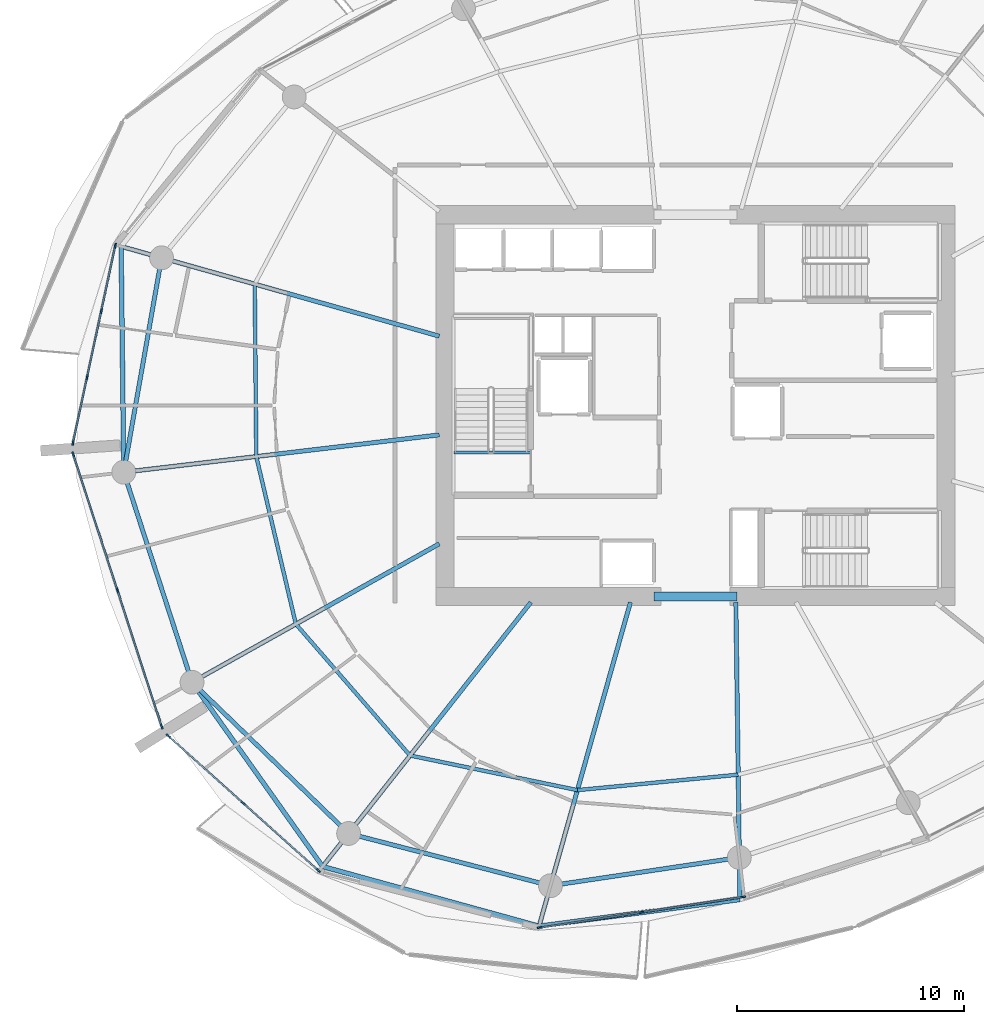
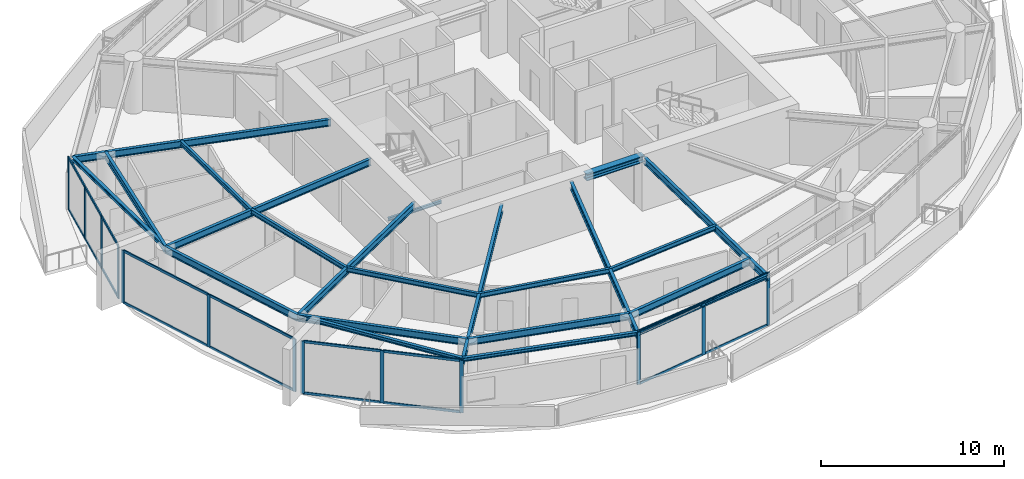
# One storey, part 5 of 20: 31 members, 22 beams, 4 elements without a shape of their own.
"""IFC4 building model written with IfcOpenShell, lengths in metres."""

import ifcopenshell
import ifcopenshell.guid

model = None  # the IFC model being written
_history = None  # IfcOwnerHistory: only IFC2X3 demands one
_inside = {}  # id of a spatial element -> (the spatial element, [elements in it])
_under = {}  # id of a project, library or spatial element -> (it, [spatial elements below it])
_declared = {}  # id of a project -> (the project, [libraries it declares])
_typed = {}  # id of a type object -> (the type object, [elements of that type])
_made_of = {}  # id of a material, layer set ... -> (it, [elements and type objects made of it])


def new_model(schema):
    """Start an empty IFC model of exactly this schema.

    Asked for "IFC4X3", IfcOpenShell would pick the latest addendum, in which some entities
    have other attributes; the version numbers below select the first issue.
    IFC2X3 requires an IfcOwnerHistory on every rooted entity: one is made here for all.
    """
    global model, _history
    if schema == "IFC4X3":
        model = ifcopenshell.file(schema_version=(4, 3, 0, 0))
    else:
        model = ifcopenshell.file(schema=schema)
    _inside.clear()
    _under.clear()
    _declared.clear()
    _typed.clear()
    _made_of.clear()
    _history = None
    if model.schema == "IFC2X3":
        org = make("IfcOrganization", Name="unknown")
        user = make(
            "IfcPersonAndOrganization",
            ThePerson=make("IfcPerson", FamilyName="unknown"),
            TheOrganization=org,
        )
        app = make(
            "IfcApplication",
            ApplicationDeveloper=org,
            Version="unknown",
            ApplicationFullName="unknown",
            ApplicationIdentifier="unknown",
        )
        _history = make(
            "IfcOwnerHistory",
            OwningUser=user,
            OwningApplication=app,
            ChangeAction="ADDED",
            CreationDate=0,
        )
    return model


def make(cls, **values):
    """One entity of the class cls with the attributes given. An attribute that is None is left unset."""
    return model.create_entity(
        cls, **{name: value for name, value in values.items() if value is not None}
    )


def rooted(cls, **values):
    """An entity with a GlobalId (a new one), such as an element, a storey or a relation."""
    return make(cls, GlobalId=ifcopenshell.guid.new(), OwnerHistory=_history, **values)


def si_unit(unit_type, name, prefix=None):
    """IfcSIUnit, for example si_unit("LENGTHUNIT", "METRE", prefix="MILLI")."""
    return make("IfcSIUnit", UnitType=unit_type, Prefix=prefix, Name=name)


def assignment(units):
    """IfcUnitAssignment: the units of a project."""
    return None if units is None else make("IfcUnitAssignment", Units=units)


def point(xyz):
    """IfcCartesianPoint."""
    return None if xyz is None else make("IfcCartesianPoint", Coordinates=xyz)


def direction(xyz):
    """IfcDirection."""
    return None if xyz is None else make("IfcDirection", DirectionRatios=xyz)


def frame(location, z_axis=None, x_axis=None):
    """IfcAxis2Placement3D, a coordinate frame: its origin and axes. An axis left out is left unset."""
    return make(
        "IfcAxis2Placement3D",
        Location=point(location),
        Axis=direction(z_axis),
        RefDirection=direction(x_axis),
    )


def frame_2d(location, x_axis=None):
    """IfcAxis2Placement2D, a coordinate frame in the plane: its origin and x axis."""
    return make(
        "IfcAxis2Placement2D", Location=point(location), RefDirection=direction(x_axis)
    )


def origin():
    """The frame at (0, 0, 0) with its axes left unset."""
    return frame((0.0, 0.0, 0.0))


def origin_2d():
    """The frame at (0, 0) in the plane with its x axis left unset."""
    return frame_2d((0.0, 0.0))


def place(relative_to, where):
    """IfcLocalPlacement: puts the frame where relative to a parent placement (None: the world)."""
    return make(
        "IfcLocalPlacement", PlacementRelTo=relative_to, RelativePlacement=where
    )


def context(
    kind, dimensions, precision=None, world=None, true_north=None, identifier=None
):
    """IfcGeometricRepresentationContext, for example the 3D "Model" context."""
    return make(
        "IfcGeometricRepresentationContext",
        ContextIdentifier=identifier,
        ContextType=kind,
        CoordinateSpaceDimension=dimensions,
        Precision=precision,
        WorldCoordinateSystem=world,
        TrueNorth=true_north,
    )


def subcontext(parent, identifier, kind, view, scale=None):
    """IfcGeometricRepresentationSubContext, for example "Body" below "Model"."""
    return make(
        "IfcGeometricRepresentationSubContext",
        ContextIdentifier=identifier,
        ContextType=kind,
        ParentContext=parent,
        TargetScale=scale,
        TargetView=view,
    )


def project(units=None, contexts=None):
    """IfcProject with its units and contexts."""
    return rooted(
        "IfcProject",
        Name="project",
        RepresentationContexts=contexts,
        UnitsInContext=assignment(units),
    )


def spatial(cls, under=None, at=None, **own):
    """A site, building, storey or space (cls), placed at a placement, below another one or the project."""
    s = rooted(cls, ObjectPlacement=at, **own)
    if under is not None:
        _under.setdefault(under.id(), (under, []))[1].append(s)
    return s


def profile(cls, at=None, kind="AREA", **sizes):
    """A parametric profile (cls). Its sizes go by their IFC names, for example OverallWidth=200.0."""
    return make(cls, ProfileType=kind, Position=at, **sizes)


def rectangle(**sizes):
    """IfcRectangleProfileDef."""
    return profile("IfcRectangleProfileDef", **sizes)


def i_section(**sizes):
    """IfcIShapeProfileDef."""
    return profile("IfcIShapeProfileDef", **sizes)


def extrude(swept, where, along, depth):
    """IfcExtrudedAreaSolid: the profile swept, set in the frame where, extruded along a direction by depth."""
    return make(
        "IfcExtrudedAreaSolid",
        SweptArea=swept,
        Position=where,
        ExtrudedDirection=direction(along),
        Depth=depth,
    )


def shape(context_of_items, identifier, shape_type, items):
    """IfcShapeRepresentation: the items that make up one representation, for example the "Body"."""
    return make(
        "IfcShapeRepresentation",
        ContextOfItems=context_of_items,
        RepresentationIdentifier=identifier,
        RepresentationType=shape_type,
        Items=items,
    )


def material(Name=None, Category=None):
    """IfcMaterial."""
    return make("IfcMaterial", Name=Name, Category=Category)


def layer(
    of_material, thickness, ventilated=None, Name=None, Category=None, Priority=None
):
    """IfcMaterialLayer: one layer of a wall or slab, of a material (None: an air gap)."""
    return make(
        "IfcMaterialLayer",
        Material=of_material,
        LayerThickness=thickness,
        IsVentilated=ventilated,
        Name=Name,
        Category=Category,
        Priority=Priority,
    )


def layer_set(layers, Name=None):
    """IfcMaterialLayerSet."""
    return make("IfcMaterialLayerSet", MaterialLayers=layers, LayerSetName=Name)


def material_profile(
    of_material, cross_section, Name=None, Category=None, Priority=None
):
    """IfcMaterialProfile: a cross section and its material."""
    return make(
        "IfcMaterialProfile",
        Name=Name,
        Material=of_material,
        Profile=cross_section,
        Priority=Priority,
        Category=Category,
    )


def profile_set(profiles, Name=None, composite=None):
    """IfcMaterialProfileSet."""
    return make(
        "IfcMaterialProfileSet",
        Name=Name,
        MaterialProfiles=profiles,
        CompositeProfile=composite,
    )


def made_of(thing, what):
    """Note that an element or type object is made of a material, layer set ...; save() writes the relation."""
    if what is not None:
        _made_of.setdefault(what.id(), (what, []))[1].append(thing)
    return thing


def type_object(cls, material=None, **own):
    """A type object (cls), such as IfcWallType, which elements share."""
    return made_of(rooted(cls, **own), material)


def element(
    cls,
    number,
    at=None,
    inside=None,
    cuts=None,
    type_object=None,
    material=None,
    context=None,
    identifier="Body",
    shape_type=None,
    held_by="IfcProductDefinitionShape",
    body=None,
    shapes=None,
    **own,
):
    """One element of the class cls, such as IfcWall. Its Tag is "e" and its number.

    at: its placement. inside: the storey or other place that contains it. cuts: it is an
    opening in that element (IfcRelVoidsElement). A single representation is given by context,
    identifier, shape_type and body (its items); several are given by shapes. held_by: the class
    of the entity that holds the representations. save() writes the other relations.
    """
    e = rooted(cls, Tag="e%d" % number, ObjectPlacement=at, **own)
    if body is not None:
        shapes = [shape(context, identifier, shape_type, body)]
    if shapes is not None:
        e.Representation = make(held_by, Representations=shapes)
    if inside is not None:
        _inside.setdefault(inside.id(), (inside, []))[1].append(e)
    if cuts is not None:
        rooted(
            "IfcRelVoidsElement", RelatingBuildingElement=cuts, RelatedOpeningElement=e
        )
    if type_object is not None:
        _typed.setdefault(type_object.id(), (type_object, []))[1].append(e)
    return made_of(e, material)


def aggregate(whole, parts):
    """IfcRelAggregates: a whole, such as a stair, and the parts it consists of."""
    return rooted("IfcRelAggregates", RelatingObject=whole, RelatedObjects=parts)


def save(model, path):
    """Write the relations noted so far, then the file.

    IfcRelAggregates (storeys below a building ...), IfcRelContainedInSpatialStructure (elements
    in a storey), IfcRelDefinesByType, IfcRelAssociatesMaterial and IfcRelDeclares: one each for
    every whole, place, type object, material and project.
    """
    for whole, parts in _under.values():
        aggregate(whole, parts)
    for where, things in _inside.values():
        rooted(
            "IfcRelContainedInSpatialStructure",
            RelatedElements=things,
            RelatingStructure=where,
        )
    for kind, things in _typed.values():
        rooted("IfcRelDefinesByType", RelatedObjects=things, RelatingType=kind)
    for what, things in _made_of.values():
        rooted("IfcRelAssociatesMaterial", RelatedObjects=things, RelatingMaterial=what)
    for by, libraries in _declared.values():
        rooted("IfcRelDeclares", RelatingContext=by, RelatedDefinitions=libraries)
    model.write(path)


model = new_model("IFC4")

# Units and contexts
model_context = context("Model", 3, precision=1e-05, world=origin(), true_north=direction((0.0, 1.0)))
body_context = subcontext(model_context, "Body", "Model", "MODEL_VIEW")
ifc_project = project(units=[si_unit("LENGTHUNIT", "METRE"), si_unit("AREAUNIT", "SQUARE_METRE"), si_unit("VOLUMEUNIT", "CUBIC_METRE"), si_unit("PLANEANGLEUNIT", "RADIAN"), si_unit("MASSUNIT", "GRAM", prefix="KILO")], contexts=[model_context])

# Site, building, storey
site_placement = place(None, origin())
site = spatial("IfcSite", under=ifc_project, at=site_placement, CompositionType="ELEMENT")
building_placement = place(site_placement, origin())
building = spatial("IfcBuilding", under=site, at=building_placement, Name="Kazma Halo Residences", CompositionType="ELEMENT")
storey_placement = place(building_placement, frame((0.0, 0.0, 139.050048828125)))
storey = spatial("IfcBuildingStorey", under=building, at=storey_placement, Name="L34", CompositionType="ELEMENT", Elevation=139.050048828125)

# Beams
ifc_material_1 = material(Name="Steel S355", Category="steel")
ifc_material_profile_1 = material_profile(ifc_material_1, i_section(OverallWidth=0.201904296875, OverallDepth=0.2470703125, WebThickness=0.00732421875, FlangeThickness=0.010986328125, FilletRadius=0.011962890625, at=origin_2d()), Name="W250x49.1")
ifc_profile_set_1 = profile_set([ifc_material_profile_1], Name="Steel S355")
beam_type_1 = type_object("IfcBeamType", Name="BM-BAL-CANT", PredefinedType="BEAM", material=ifc_profile_set_1)
beam_1_placement = place(storey_placement, frame((23.149658203125, 49.008544921875, 3.37646484375), z_axis=(0.011793371143, -0.99993045578, 0.0), x_axis=(0.99993045578, 0.011793371143, 0.0)))
element("IfcBeam", 1, at=beam_1_placement, inside=storey, type_object=beam_type_1, Name="L34 wave-balcony tie beam 07", PredefinedType="BEAM", context=body_context, shape_type="SweptSolid", body=[
    extrude(i_section(OverallWidth=0.201904296875, OverallDepth=0.2470703125, WebThickness=0.00732421875, FlangeThickness=0.010986328125, FilletRadius=0.011962890625, at=origin_2d()), origin(), (0.0, 0.0, 1.0), 9.936767578125),
])
beam_2_placement = place(storey_placement, frame((26.269775390625, 29.83056640625, 3.37646484375), z_axis=(0.578203432081, -0.81589263456, 0.0), x_axis=(0.81589263456, 0.578203432081, 0.0)))
element("IfcBeam", 2, at=beam_2_placement, inside=storey, type_object=beam_type_1, Name="L34 wave-balcony lead tie beam 09", PredefinedType="BEAM", context=body_context, shape_type="SweptSolid", body=[
    extrude(i_section(OverallWidth=0.201904296875, OverallDepth=0.2470703125, WebThickness=0.00732421875, FlangeThickness=0.010986328125, FilletRadius=0.011962890625, at=origin_2d()), origin(), (0.0, 0.0, 1.0), 9.9365234375),
])
beam_3_placement = place(storey_placement, frame((32.01513671875, 21.723388671875, 3.37646484375), z_axis=(0.964045237638, -0.265738179019, 0.0), x_axis=(0.265738179019, 0.964045237638, 0.0)))
element("IfcBeam", 3, at=beam_3_placement, inside=storey, type_object=beam_type_1, Name="L34 wave-balcony tie beam 10", PredefinedType="BEAM", context=body_context, shape_type="SweptSolid", body=[
    extrude(i_section(OverallWidth=0.201904296875, OverallDepth=0.2470703125, WebThickness=0.00732421875, FlangeThickness=0.010986328125, FilletRadius=0.011962890625, at=origin_2d()), origin(), (0.0, 0.0, 1.0), 9.880859375),
])
beam_4_placement = place(storey_placement, frame((41.540771484375, 19.09765625, 3.37646484375), z_axis=(0.991326402839, 0.13142284061, 0.0), x_axis=(-0.13142284061, 0.991326402839, 0.0)))
element("IfcBeam", 4, at=beam_4_placement, inside=storey, type_object=beam_type_1, Name="L34 wave-balcony tie beam 11", PredefinedType="BEAM", context=body_context, shape_type="SweptSolid", body=[
    extrude(i_section(OverallWidth=0.201904296875, OverallDepth=0.2470703125, WebThickness=0.00732421875, FlangeThickness=0.010986328125, FilletRadius=0.011962890625, at=origin_2d()), origin(), (0.0, 0.0, 1.0), 8.9150390625),
])
ifc_material_profile_2 = material_profile(ifc_material_1, i_section(OverallWidth=0.408935546875, OverallDepth=0.425048828125, WebThickness=0.03271484375, FlangeThickness=0.052490234375, FilletRadius=0.02001953125, at=origin_2d()), Name="W360x421")
ifc_profile_set_2 = profile_set([ifc_material_profile_2], Name="Steel S355")
beam_type_2 = type_object("IfcBeamType", Name="BM-CORE-W360H", PredefinedType="BEAM", material=ifc_profile_set_2)
beam_5_placement = place(storey_placement, frame((46.60009765625, 33.60009765625, 3.287353515625), z_axis=(1.0, 0.0, 0.0), x_axis=(0.0, 1.0, 0.0)))
element("IfcBeam", 5, at=beam_5_placement, inside=storey, type_object=beam_type_2, Name="L34 core coupling beam S", PredefinedType="BEAM", context=body_context, shape_type="SweptSolid", body=[
    extrude(i_section(OverallWidth=0.408935546875, OverallDepth=0.425048828125, WebThickness=0.03271484375, FlangeThickness=0.052490234375, FilletRadius=0.02001953125, at=origin_2d()), origin(), (0.0, 0.0, 1.0), 3.64990234375),
])
ifc_material_profile_3 = material_profile(ifc_material_1, i_section(OverallWidth=0.18994140625, OverallDepth=0.45703125, WebThickness=0.009033203125, FlangeThickness=0.014404296875, FilletRadius=0.01611328125, at=origin_2d()), Name="W460x74")
ifc_profile_set_3 = profile_set([ifc_material_profile_3], Name="Steel S355")
beam_type_3 = type_object("IfcBeamType", Name="BM-RAD-W460", PredefinedType="BEAM", material=ifc_profile_set_3)
beam_6_placement = place(storey_placement, frame((37.14990234375, 45.06005859375, 3.271484375), z_axis=(-0.962455072712, 0.271441030447, 0.0), x_axis=(-0.271441030447, -0.962455072712, 0.0)))
element("IfcBeam", 6, at=beam_6_placement, inside=storey, type_object=beam_type_3, Name="L34 radial floor beam 07", PredefinedType="BEAM", context=body_context, shape_type="SweptSolid", body=[
    extrude(i_section(OverallWidth=0.18994140625, OverallDepth=0.45703125, WebThickness=0.009033203125, FlangeThickness=0.014404296875, FilletRadius=0.01611328125, at=origin_2d()), origin(), (0.0, 0.0, 1.0), 14.54638671875),
])
beam_7_placement = place(storey_placement, frame((37.14990234375, 40.7158203125, 3.271484375), z_axis=(-0.993067267044, -0.117547450531, 0.0), x_axis=(0.117547450531, -0.993067267044, 0.0)))
element("IfcBeam", 7, at=beam_7_placement, inside=storey, type_object=beam_type_3, Name="L34 radial floor beam 08", PredefinedType="BEAM", context=body_context, shape_type="SweptSolid", body=[
    extrude(i_section(OverallWidth=0.18994140625, OverallDepth=0.45703125, WebThickness=0.009033203125, FlangeThickness=0.014404296875, FilletRadius=0.01611328125, at=origin_2d()), origin(), (0.0, 0.0, 1.0), 13.97998046875),
])
beam_8_placement = place(storey_placement, frame((37.14990234375, 35.923583984375, 3.271484375), z_axis=(-0.87250100809, -0.488612311431, 0.0), x_axis=(0.488612311431, -0.87250100809, 0.0)))
element("IfcBeam", 8, at=beam_8_placement, inside=storey, type_object=beam_type_3, Name="L34 radial floor beam 09", PredefinedType="BEAM", context=body_context, shape_type="SweptSolid", body=[
    extrude(i_section(OverallWidth=0.18994140625, OverallDepth=0.45703125, WebThickness=0.009033203125, FlangeThickness=0.014404296875, FilletRadius=0.01611328125, at=origin_2d()), origin(), (0.0, 0.0, 1.0), 12.469970703125),
])
beam_9_placement = place(storey_placement, frame((41.180908203125, 33.35009765625, 3.271484375), z_axis=(-0.619094498239, -0.785316498139, 0.0), x_axis=(0.785316498139, -0.619094498239, 0.0)))
element("IfcBeam", 9, at=beam_9_placement, inside=storey, type_object=beam_type_3, Name="L34 radial floor beam 10", PredefinedType="BEAM", context=body_context, shape_type="SweptSolid", body=[
    extrude(i_section(OverallWidth=0.18994140625, OverallDepth=0.45703125, WebThickness=0.009033203125, FlangeThickness=0.014404296875, FilletRadius=0.01611328125, at=origin_2d()), origin(), (0.0, 0.0, 1.0), 14.80517578125),
])
beam_10_placement = place(storey_placement, frame((45.560302734375, 33.35009765625, 3.271484375), z_axis=(-0.271435886816, -0.962456523355, 0.0), x_axis=(0.962456523355, -0.271435886816, 0.0)))
element("IfcBeam", 10, at=beam_10_placement, inside=storey, type_object=beam_type_3, Name="L34 radial floor beam 11", PredefinedType="BEAM", context=body_context, shape_type="SweptSolid", body=[
    extrude(i_section(OverallWidth=0.18994140625, OverallDepth=0.45703125, WebThickness=0.009033203125, FlangeThickness=0.014404296875, FilletRadius=0.01611328125, at=origin_2d()), origin(), (0.0, 0.0, 1.0), 14.808349609375),
])
beam_11_placement = place(storey_placement, frame((50.199951171875, 33.35009765625, 3.271484375), z_axis=(0.013642135434, -0.99990694174, 0.0), x_axis=(0.99990694174, 0.013642135434, 0.0)))
element("IfcBeam", 11, at=beam_11_placement, inside=storey, type_object=beam_type_3, Name="L34 radial floor beam 12", PredefinedType="BEAM", context=body_context, shape_type="SweptSolid", body=[
    extrude(i_section(OverallWidth=0.18994140625, OverallDepth=0.45703125, WebThickness=0.009033203125, FlangeThickness=0.014404296875, FilletRadius=0.01611328125, at=origin_2d()), origin(), (0.0, 0.0, 1.0), 13.08203125),
])
ifc_material_profile_4 = material_profile(ifc_material_1, i_section(OverallWidth=0.1650390625, OverallDepth=0.31005859375, WebThickness=0.005859375, FlangeThickness=0.009765625, FilletRadius=0.011962890625, at=origin_2d()), Name="W310x38.7")
ifc_profile_set_4 = profile_set([ifc_material_profile_4], Name="Steel S355")
beam_type_4 = type_object("IfcBeamType", Name="BM-SEC-W310B", PredefinedType="JOIST", material=ifc_profile_set_4)
beam_12_placement = place(storey_placement, frame((29.02978515625, 47.35009765625, 3.344970703125), z_axis=(0.008944876706, -0.99995999379, 0.0), x_axis=(0.99995999379, 0.008944876706, 0.0)))
element("IfcBeam", 12, at=beam_12_placement, inside=storey, type_object=beam_type_4, Name="L34 circumferential floor joist 07", PredefinedType="JOIST", context=body_context, shape_type="SweptSolid", body=[
    extrude(i_section(OverallWidth=0.1650390625, OverallDepth=0.31005859375, WebThickness=0.005859375, FlangeThickness=0.009765625, FilletRadius=0.011962890625, at=origin_2d()), origin(), (0.0, 0.0, 1.0), 7.587646484375),
])
beam_13_placement = place(storey_placement, frame((29.09765625, 39.7626953125, 3.344970703125), z_axis=(0.229897820601, -0.973214771817, 0.0), x_axis=(0.973214771817, 0.229897820601, 0.0)))
element("IfcBeam", 13, at=beam_13_placement, inside=storey, type_object=beam_type_4, Name="L34 circumferential floor joist 08", PredefinedType="JOIST", context=body_context, shape_type="SweptSolid", body=[
    extrude(i_section(OverallWidth=0.1650390625, OverallDepth=0.31005859375, WebThickness=0.005859375, FlangeThickness=0.009765625, FilletRadius=0.011962890625, at=origin_2d()), origin(), (0.0, 0.0, 1.0), 7.575927734375),
])
beam_14_placement = place(storey_placement, frame((30.83935546875, 32.3896484375, 3.344970703125), z_axis=(0.655935687589, -0.754816781575, 0.0), x_axis=(0.754816781575, 0.655935687589, 0.0)))
element("IfcBeam", 14, at=beam_14_placement, inside=storey, type_object=beam_type_4, Name="L34 circumferential floor joist 09", PredefinedType="JOIST", context=body_context, shape_type="SweptSolid", body=[
    extrude(i_section(OverallWidth=0.1650390625, OverallDepth=0.31005859375, WebThickness=0.005859375, FlangeThickness=0.009765625, FilletRadius=0.011962890625, at=origin_2d()), origin(), (0.0, 0.0, 1.0), 7.661376953125),
])
beam_15_placement = place(storey_placement, frame((35.86474609375, 26.606689453125, 3.344970703125), z_axis=(0.979272189631, -0.202548706773, 0.0), x_axis=(0.202548706773, 0.979272189631, 0.0)))
element("IfcBeam", 15, at=beam_15_placement, inside=storey, type_object=beam_type_4, Name="L34 circumferential floor joist 10", PredefinedType="JOIST", context=body_context, shape_type="SweptSolid", body=[
    extrude(i_section(OverallWidth=0.1650390625, OverallDepth=0.31005859375, WebThickness=0.005859375, FlangeThickness=0.009765625, FilletRadius=0.011962890625, at=origin_2d()), origin(), (0.0, 0.0, 1.0), 7.52001953125),
])
beam_16_placement = place(storey_placement, frame((43.22900390625, 25.08349609375, 3.344970703125), z_axis=(0.995416389983, 0.095635822539, 0.0), x_axis=(-0.095635822539, 0.995416389983, 0.0)))
element("IfcBeam", 16, at=beam_16_placement, inside=storey, type_object=beam_type_4, Name="L34 circumferential floor joist 11", PredefinedType="JOIST", context=body_context, shape_type="SweptSolid", body=[
    extrude(i_section(OverallWidth=0.1650390625, OverallDepth=0.31005859375, WebThickness=0.005859375, FlangeThickness=0.009765625, FilletRadius=0.011962890625, at=origin_2d()), origin(), (0.0, 0.0, 1.0), 7.10693359375),
])
ifc_material_profile_5 = material_profile(ifc_material_1, i_section(OverallWidth=0.18994140625, OverallDepth=0.45703125, WebThickness=0.009033203125, FlangeThickness=0.014404296875, FilletRadius=0.01611328125, at=origin_2d()), Name="W460x74")
ifc_profile_set_5 = profile_set([ifc_material_profile_5], Name="Steel S355")
beam_type_5 = type_object("IfcBeamType", Name="BM-SPN-W460", PredefinedType="BEAM", material=ifc_profile_set_5)
beam_17_placement = place(storey_placement, frame((24.93017578125, 48.50634765625, 3.271484375), z_axis=(-0.173637033425, -0.984809717978, 0.0), x_axis=(0.984809717978, -0.173637033425, 0.0)))
element("IfcBeam", 17, at=beam_17_placement, inside=storey, type_object=beam_type_5, Name="L34 perimeter ring beam 07", PredefinedType="BEAM", context=body_context, shape_type="SweptSolid", body=[
    extrude(i_section(OverallWidth=0.18994140625, OverallDepth=0.45703125, WebThickness=0.009033203125, FlangeThickness=0.014404296875, FilletRadius=0.01611328125, at=origin_2d()), origin(), (0.0, 0.0, 1.0), 9.579345703125),
])
beam_18_placement = place(storey_placement, frame((23.266845703125, 39.072509765625, 3.271484375), z_axis=(0.309020741629, -0.95105529873, 0.0), x_axis=(0.95105529873, 0.309020741629, 0.0)))
element("IfcBeam", 18, at=beam_18_placement, inside=storey, type_object=beam_type_5, Name="L34 perimeter ring beam 08", PredefinedType="BEAM", context=body_context, shape_type="SweptSolid", body=[
    extrude(i_section(OverallWidth=0.18994140625, OverallDepth=0.45703125, WebThickness=0.009033203125, FlangeThickness=0.014404296875, FilletRadius=0.01611328125, at=origin_2d()), origin(), (0.0, 0.0, 1.0), 9.717529296875),
])
beam_19_placement = place(storey_placement, frame((26.269775390625, 29.83056640625, 3.271484375), z_axis=(0.719334705845, -0.694663645923, 0.0), x_axis=(0.694663645923, 0.719334705845, 0.0)))
element("IfcBeam", 19, at=beam_19_placement, inside=storey, type_object=beam_type_5, Name="L34 perimeter ring beam 09", PredefinedType="BEAM", context=body_context, shape_type="SweptSolid", body=[
    extrude(i_section(OverallWidth=0.18994140625, OverallDepth=0.45703125, WebThickness=0.009033203125, FlangeThickness=0.014404296875, FilletRadius=0.01611328125, at=origin_2d()), origin(), (0.0, 0.0, 1.0), 9.5791015625),
])
beam_20_placement = place(storey_placement, frame((33.160400390625, 23.17626953125, 3.271484375), z_axis=(0.968123664213, -0.250472694699, 0.0), x_axis=(0.250472694699, 0.968123664213, 0.0)))
element("IfcBeam", 20, at=beam_20_placement, inside=storey, type_object=beam_type_5, Name="L34 perimeter ring beam 10", PredefinedType="BEAM", context=body_context, shape_type="SweptSolid", body=[
    extrude(i_section(OverallWidth=0.18994140625, OverallDepth=0.45703125, WebThickness=0.009033203125, FlangeThickness=0.014404296875, FilletRadius=0.01611328125, at=origin_2d()), origin(), (0.0, 0.0, 1.0), 9.175048828125),
])
beam_21_placement = place(storey_placement, frame((42.04296875, 20.878173828125, 3.271484375), z_axis=(0.989037147603, 0.147666924735, 0.0), x_axis=(-0.147666924735, 0.989037147603, 0.0)))
element("IfcBeam", 21, at=beam_21_placement, inside=storey, type_object=beam_type_5, Name="L34 perimeter ring beam 11", PredefinedType="BEAM", context=body_context, shape_type="SweptSolid", body=[
    extrude(i_section(OverallWidth=0.18994140625, OverallDepth=0.45703125, WebThickness=0.009033203125, FlangeThickness=0.014404296875, FilletRadius=0.01611328125, at=origin_2d()), origin(), (0.0, 0.0, 1.0), 8.402099609375),
])
ifc_material_profile_6 = material_profile(ifc_material_1, i_section(OverallWidth=0.133056640625, OverallDepth=0.20703125, WebThickness=0.005859375, FlangeThickness=0.00830078125, FilletRadius=0.010009765625, at=origin_2d()), Name="W200x26.6")
ifc_profile_set_6 = profile_set([ifc_material_profile_6], Name="Steel S355")
beam_type_6 = type_object("IfcBeamType", Name="BM-TRIM-W200", PredefinedType="BEAM", material=ifc_profile_set_6)
beam_22_placement = place(storey_placement, frame((37.800048828125, 39.949951171875, -0.360107421875), z_axis=(1.0, 0.0, 0.0), x_axis=(0.0, 1.0, 0.0)))
element("IfcBeam", 22, at=beam_22_placement, inside=storey, type_object=beam_type_6, Name="L34 ST-01 floor landing support beam", PredefinedType="BEAM", context=body_context, shape_type="SweptSolid", body=[
    extrude(i_section(OverallWidth=0.133056640625, OverallDepth=0.20703125, WebThickness=0.005859375, FlangeThickness=0.00830078125, FilletRadius=0.010009765625, at=origin_2d()), origin(), (0.0, 0.0, 1.0), 3.3798828125),
])

# Curtain wall, members
ifc_material_2 = material(Name="Aluminium AW-6063 T6 and Triple-Silver Low-E Glass", Category="aluminium")
ifc_layer = layer(ifc_material_2, 0.219970703125)
ifc_layer_set = layer_set([ifc_layer], Name="Aluminium AW-6063 T6 and Triple-Silver Low-E Glass")
curtain_wall_type = type_object("IfcCurtainWallType", Name="CW-SYS-4", PredefinedType="NOTDEFINED", material=ifc_layer_set)
curtain_wall_1_placement = place(storey_placement, origin())
curtain_wall_1 = element("IfcCurtainWall", 23, at=curtain_wall_1_placement, inside=storey, type_object=curtain_wall_type, Name="L34 unitised curtain wall B07", PredefinedType="NOTDEFINED")
ifc_material_3 = material(Name="Aluminium AW-6063 T6", Category="aluminium")
ifc_material_profile_7 = material_profile(ifc_material_3, rectangle(XDim=0.074951171875, YDim=0.219970703125, at=origin_2d()), Name="CWM-75x220")
ifc_profile_set_7 = profile_set([ifc_material_profile_7], Name="Aluminium AW-6063 T6")
member_type_1 = type_object("IfcMemberType", Name="CW-SYS-4-MUL", PredefinedType="MULLION", material=ifc_profile_set_7)
member_1_placement = place(storey_placement, frame((22.894775390625, 49.04150390625, 0.0), z_axis=(0.0, 0.0, 1.0), x_axis=(0.977764957684, -0.209703809037, 0.0)))
member_1 = element("IfcMember", 24, at=member_1_placement, type_object=member_type_1, Name="CWS-4 mullion 1", PredefinedType="MULLION", context=body_context, shape_type="SweptSolid", body=[
    extrude(rectangle(XDim=0.074951171875, YDim=0.219970703125, at=origin_2d()), origin(), (0.0, 0.0, 1.0), 3.5),
])
member_2_placement = place(storey_placement, frame((22.27685546875, 46.160888671875, 0.0), z_axis=(0.0, 0.0, 1.0), x_axis=(0.977764957684, -0.209703809037, 0.0)))
member_2 = element("IfcMember", 25, at=member_2_placement, type_object=member_type_1, Name="CWS-4 mullion 2", PredefinedType="MULLION", context=body_context, shape_type="SweptSolid", body=[
    extrude(rectangle(XDim=0.074951171875, YDim=0.219970703125, at=origin_2d()), origin(), (0.0, 0.0, 1.0), 3.5),
])
member_3_placement = place(storey_placement, frame((21.6513671875, 43.24365234375, 0.0), z_axis=(0.0, 0.0, 1.0), x_axis=(0.977764957684, -0.209703809037, 0.0)))
member_3 = element("IfcMember", 26, at=member_3_placement, type_object=member_type_1, Name="CWS-4 mullion 3", PredefinedType="MULLION", context=body_context, shape_type="SweptSolid", body=[
    extrude(rectangle(XDim=0.074951171875, YDim=0.219970703125, at=origin_2d()), origin(), (0.0, 0.0, 1.0), 3.5),
])
member_4_placement = place(storey_placement, frame((21.033447265625, 40.36328125, 0.0), z_axis=(0.0, 0.0, 1.0), x_axis=(0.977764957684, -0.209703809037, 0.0)))
member_4 = element("IfcMember", 27, at=member_4_placement, type_object=member_type_1, Name="CWS-4 mullion 4", PredefinedType="MULLION", context=body_context, shape_type="SweptSolid", body=[
    extrude(rectangle(XDim=0.074951171875, YDim=0.219970703125, at=origin_2d()), origin(), (0.0, 0.0, 1.0), 3.5),
])

curtain_wall_2_placement = place(storey_placement, origin())
curtain_wall_2 = element("IfcCurtainWall", 28, at=curtain_wall_2_placement, inside=storey, type_object=curtain_wall_type, Name="L34 unitised curtain wall B08", PredefinedType="NOTDEFINED")
member_5_placement = place(storey_placement, frame((21.044189453125, 39.86572265625, 0.0), z_axis=(0.0, 0.0, 1.0), x_axis=(0.951057547609, 0.3090138203, 0.0)))
member_5 = element("IfcMember", 29, at=member_5_placement, type_object=member_type_1, Name="CWS-4 mullion 1", PredefinedType="MULLION", context=body_context, shape_type="SweptSolid", body=[
    extrude(rectangle(XDim=0.074951171875, YDim=0.219970703125, at=origin_2d()), origin(), (0.0, 0.0, 1.0), 3.5),
])
member_6_placement = place(storey_placement, frame((22.990966796875, 33.8740234375, 0.0), z_axis=(0.0, 0.0, 1.0), x_axis=(0.951057547609, 0.3090138203, 0.0)))
member_6 = element("IfcMember", 30, at=member_6_placement, type_object=member_type_1, Name="CWS-4 mullion 2", PredefinedType="MULLION", context=body_context, shape_type="SweptSolid", body=[
    extrude(rectangle(XDim=0.074951171875, YDim=0.219970703125, at=origin_2d()), origin(), (0.0, 0.0, 1.0), 3.5),
])
member_7_placement = place(storey_placement, frame((24.937744140625, 27.882568359375, 0.0), z_axis=(0.0, 0.0, 1.0), x_axis=(0.951057547609, 0.3090138203, 0.0)))
member_7 = element("IfcMember", 31, at=member_7_placement, type_object=member_type_1, Name="CWS-4 mullion 3", PredefinedType="MULLION", context=body_context, shape_type="SweptSolid", body=[
    extrude(rectangle(XDim=0.074951171875, YDim=0.219970703125, at=origin_2d()), origin(), (0.0, 0.0, 1.0), 3.5),
])

curtain_wall_3_placement = place(storey_placement, origin())
curtain_wall_3 = element("IfcCurtainWall", 32, at=curtain_wall_3_placement, inside=storey, type_object=curtain_wall_type, Name="L34 unitised curtain wall B09", PredefinedType="NOTDEFINED")
member_8_placement = place(storey_placement, frame((25.221435546875, 27.4736328125, 0.0), z_axis=(0.0, 0.0, 1.0), x_axis=(0.667770096247, 0.744367582957, 0.0)))
member_8 = element("IfcMember", 33, at=member_8_placement, type_object=member_type_1, Name="CWS-4 mullion 1", PredefinedType="MULLION", context=body_context, shape_type="SweptSolid", body=[
    extrude(rectangle(XDim=0.074951171875, YDim=0.219970703125, at=origin_2d()), origin(), (0.0, 0.0, 1.0), 3.5),
])
member_9_placement = place(storey_placement, frame((28.52490234375, 24.51025390625, 0.0), z_axis=(0.0, 0.0, 1.0), x_axis=(0.667770096247, 0.744367582957, 0.0)))
member_9 = element("IfcMember", 34, at=member_9_placement, type_object=member_type_1, Name="CWS-4 mullion 2", PredefinedType="MULLION", context=body_context, shape_type="SweptSolid", body=[
    extrude(rectangle(XDim=0.074951171875, YDim=0.219970703125, at=origin_2d()), origin(), (0.0, 0.0, 1.0), 3.5),
])
member_10_placement = place(storey_placement, frame((31.828369140625, 21.546630859375, 0.0), z_axis=(0.0, 0.0, 1.0), x_axis=(0.667770096247, 0.744367582957, 0.0)))
member_10 = element("IfcMember", 35, at=member_10_placement, type_object=member_type_1, Name="CWS-4 mullion 3", PredefinedType="MULLION", context=body_context, shape_type="SweptSolid", body=[
    extrude(rectangle(XDim=0.074951171875, YDim=0.219970703125, at=origin_2d()), origin(), (0.0, 0.0, 1.0), 3.5),
])

curtain_wall_4_placement = place(storey_placement, origin())
curtain_wall_4 = element("IfcCurtainWall", 36, at=curtain_wall_4_placement, inside=storey, type_object=curtain_wall_type, Name="L34 unitised curtain wall B11", PredefinedType="NOTDEFINED")
member_11_placement = place(storey_placement, frame((41.559326171875, 19.037109375, 0.0), z_axis=(0.0, 0.0, 1.0), x_axis=(-0.148821022686, 0.988864148004, 0.0)))
member_11 = element("IfcMember", 37, at=member_11_placement, type_object=member_type_1, Name="CWS-4 mullion 1", PredefinedType="MULLION", context=body_context, shape_type="SweptSolid", body=[
    extrude(rectangle(XDim=0.074951171875, YDim=0.219970703125, at=origin_2d()), origin(), (0.0, 0.0, 1.0), 3.5),
])
member_12_placement = place(storey_placement, frame((46.039794921875, 19.71142578125, 0.0), z_axis=(0.0, 0.0, 1.0), x_axis=(-0.148821022686, 0.988864148004, 0.0)))
member_12 = element("IfcMember", 38, at=member_12_placement, type_object=member_type_1, Name="CWS-4 mullion 2", PredefinedType="MULLION", context=body_context, shape_type="SweptSolid", body=[
    extrude(rectangle(XDim=0.074951171875, YDim=0.219970703125, at=origin_2d()), origin(), (0.0, 0.0, 1.0), 3.5),
])
member_13_placement = place(storey_placement, frame((50.5205078125, 20.3857421875, 0.0), z_axis=(0.0, 0.0, 1.0), x_axis=(-0.148821022686, 0.988864148004, 0.0)))
member_13 = element("IfcMember", 39, at=member_13_placement, type_object=member_type_1, Name="CWS-4 mullion 3", PredefinedType="MULLION", context=body_context, shape_type="SweptSolid", body=[
    extrude(rectangle(XDim=0.074951171875, YDim=0.219970703125, at=origin_2d()), origin(), (0.0, 0.0, 1.0), 3.5),
])

# Member
ifc_material_profile_8 = material_profile(ifc_material_3, rectangle(XDim=0.074951171875, YDim=0.1650390625, at=origin_2d()), Name="CWT-75x165")
ifc_profile_set_8 = profile_set([ifc_material_profile_8], Name="Aluminium AW-6063 T6")
member_type_2 = type_object("IfcMemberType", Name="CW-SYS-4-TRN", PredefinedType="USERDEFINED", material=ifc_profile_set_8)
member_14_placement = place(storey_placement, frame((22.886962890625, 49.0048828125, 0.037353515625), z_axis=(-0.209703309269, -0.977765064871, 0.0), x_axis=(0.977765064871, -0.209703309269, 0.0)))
member_14 = element("IfcMember", 40, at=member_14_placement, type_object=member_type_2, Name="CWS-4 transom 1.1", ObjectType="TRANSOM", PredefinedType="USERDEFINED", context=body_context, shape_type="SweptSolid", body=[
    extrude(rectangle(XDim=0.074951171875, YDim=0.1650390625, at=origin_2d()), origin(), (0.0, 0.0, 1.0), 2.870849609375),
])

member_15_placement = place(storey_placement, frame((22.886962890625, 49.0048828125, 3.46240234375), z_axis=(-0.209703309269, -0.977765064871, 0.0), x_axis=(0.977765064871, -0.209703309269, 0.0)))
member_15 = element("IfcMember", 41, at=member_15_placement, type_object=member_type_2, Name="CWS-4 transom 1.2", ObjectType="TRANSOM", PredefinedType="USERDEFINED", context=body_context, shape_type="SweptSolid", body=[
    extrude(rectangle(XDim=0.074951171875, YDim=0.1650390625, at=origin_2d()), origin(), (0.0, 0.0, 1.0), 2.870849609375),
])

member_16_placement = place(storey_placement, frame((22.26904296875, 46.124267578125, 0.037353515625), z_axis=(-0.209689601293, -0.977768004748, 0.0), x_axis=(0.977768004748, -0.209689601293, 0.0)))
member_16 = element("IfcMember", 42, at=member_16_placement, type_object=member_type_2, Name="CWS-4 transom 2.1", ObjectType="TRANSOM", PredefinedType="USERDEFINED", context=body_context, shape_type="SweptSolid", body=[
    extrude(rectangle(XDim=0.074951171875, YDim=0.1650390625, at=origin_2d()), origin(), (0.0, 0.0, 1.0), 2.908447265625),
])

member_17_placement = place(storey_placement, frame((22.26904296875, 46.124267578125, 3.46240234375), z_axis=(-0.209689601293, -0.977768004748, 0.0), x_axis=(0.977768004748, -0.209689601293, 0.0)))
member_17 = element("IfcMember", 43, at=member_17_placement, type_object=member_type_2, Name="CWS-4 transom 2.2", ObjectType="TRANSOM", PredefinedType="USERDEFINED", context=body_context, shape_type="SweptSolid", body=[
    extrude(rectangle(XDim=0.074951171875, YDim=0.1650390625, at=origin_2d()), origin(), (0.0, 0.0, 1.0), 2.908447265625),
])

member_18_placement = place(storey_placement, frame((21.643310546875, 43.20703125, 0.037353515625), z_axis=(-0.209703309269, -0.977765064871, 0.0), x_axis=(0.977765064871, -0.209703309269, 0.0)))
member_18 = element("IfcMember", 44, at=member_18_placement, type_object=member_type_2, Name="CWS-4 transom 3.1", ObjectType="TRANSOM", PredefinedType="USERDEFINED", context=body_context, shape_type="SweptSolid", body=[
    extrude(rectangle(XDim=0.074951171875, YDim=0.1650390625, at=origin_2d()), origin(), (0.0, 0.0, 1.0), 2.870849609375),
])

member_19_placement = place(storey_placement, frame((21.643310546875, 43.20703125, 3.46240234375), z_axis=(-0.209703309269, -0.977765064871, 0.0), x_axis=(0.977765064871, -0.209703309269, 0.0)))
member_19 = element("IfcMember", 45, at=member_19_placement, type_object=member_type_2, Name="CWS-4 transom 3.2", ObjectType="TRANSOM", PredefinedType="USERDEFINED", context=body_context, shape_type="SweptSolid", body=[
    extrude(rectangle(XDim=0.074951171875, YDim=0.1650390625, at=origin_2d()), origin(), (0.0, 0.0, 1.0), 2.870849609375),
])

aggregate(curtain_wall_1, [member_1, member_2, member_3, member_4, member_14, member_15, member_16, member_17, member_18, member_19])

member_20_placement = place(storey_placement, frame((21.0556640625, 39.830078125, 0.037353515625), z_axis=(0.309006258762, -0.95106000444, 0.0), x_axis=(0.95106000444, 0.309006258762, 0.0)))
member_20 = element("IfcMember", 46, at=member_20_placement, type_object=member_type_2, Name="CWS-4 transom 1.1", ObjectType="TRANSOM", PredefinedType="USERDEFINED", context=body_context, shape_type="SweptSolid", body=[
    extrude(rectangle(XDim=0.074951171875, YDim=0.1650390625, at=origin_2d()), origin(), (0.0, 0.0, 1.0), 6.22509765625),
])

member_21_placement = place(storey_placement, frame((21.0556640625, 39.830078125, 3.46240234375), z_axis=(0.309006258762, -0.95106000444, 0.0), x_axis=(0.95106000444, 0.309006258762, 0.0)))
member_21 = element("IfcMember", 47, at=member_21_placement, type_object=member_type_2, Name="CWS-4 transom 1.2", ObjectType="TRANSOM", PredefinedType="USERDEFINED", context=body_context, shape_type="SweptSolid", body=[
    extrude(rectangle(XDim=0.074951171875, YDim=0.1650390625, at=origin_2d()), origin(), (0.0, 0.0, 1.0), 6.22509765625),
])

member_22_placement = place(storey_placement, frame((23.00244140625, 33.83837890625, 0.037353515625), z_axis=(0.309017784977, -0.951056259413, 0.0), x_axis=(0.951056259413, 0.309017784977, 0.0)))
member_22 = element("IfcMember", 48, at=member_22_placement, type_object=member_type_2, Name="CWS-4 transom 2.1", ObjectType="TRANSOM", PredefinedType="USERDEFINED", context=body_context, shape_type="SweptSolid", body=[
    extrude(rectangle(XDim=0.074951171875, YDim=0.1650390625, at=origin_2d()), origin(), (0.0, 0.0, 1.0), 6.224853515625),
])

member_23_placement = place(storey_placement, frame((23.00244140625, 33.83837890625, 3.46240234375), z_axis=(0.309017784977, -0.951056259413, 0.0), x_axis=(0.951056259413, 0.309017784977, 0.0)))
member_23 = element("IfcMember", 49, at=member_23_placement, type_object=member_type_2, Name="CWS-4 transom 2.2", ObjectType="TRANSOM", PredefinedType="USERDEFINED", context=body_context, shape_type="SweptSolid", body=[
    extrude(rectangle(XDim=0.074951171875, YDim=0.1650390625, at=origin_2d()), origin(), (0.0, 0.0, 1.0), 6.224853515625),
])

aggregate(curtain_wall_2, [member_5, member_6, member_7, member_20, member_21, member_22, member_23])

member_24_placement = place(storey_placement, frame((25.24951171875, 27.44873046875, 0.037353515625), z_axis=(0.744344978888, -0.66779529229, 0.0), x_axis=(0.66779529229, 0.744344978888, 0.0)))
member_24 = element("IfcMember", 50, at=member_24_placement, type_object=member_type_2, Name="CWS-4 transom 1.1", ObjectType="TRANSOM", PredefinedType="USERDEFINED", context=body_context, shape_type="SweptSolid", body=[
    extrude(rectangle(XDim=0.074951171875, YDim=0.1650390625, at=origin_2d()), origin(), (0.0, 0.0, 1.0), 4.363037109375),
])

member_25_placement = place(storey_placement, frame((25.24951171875, 27.44873046875, 3.46240234375), z_axis=(0.744344978888, -0.66779529229, 0.0), x_axis=(0.66779529229, 0.744344978888, 0.0)))
member_25 = element("IfcMember", 51, at=member_25_placement, type_object=member_type_2, Name="CWS-4 transom 1.2", ObjectType="TRANSOM", PredefinedType="USERDEFINED", context=body_context, shape_type="SweptSolid", body=[
    extrude(rectangle(XDim=0.074951171875, YDim=0.1650390625, at=origin_2d()), origin(), (0.0, 0.0, 1.0), 4.363037109375),
])

member_26_placement = place(storey_placement, frame((28.552734375, 24.485107421875, 0.037353515625), z_axis=(0.744372794017, -0.667764287401, 0.0), x_axis=(0.667764287401, 0.744372794017, 0.0)))
member_26 = element("IfcMember", 52, at=member_26_placement, type_object=member_type_2, Name="CWS-4 transom 2.1", ObjectType="TRANSOM", PredefinedType="USERDEFINED", context=body_context, shape_type="SweptSolid", body=[
    extrude(rectangle(XDim=0.074951171875, YDim=0.1650390625, at=origin_2d()), origin(), (0.0, 0.0, 1.0), 4.36279296875),
])

member_27_placement = place(storey_placement, frame((28.552734375, 24.485107421875, 3.46240234375), z_axis=(0.744372794017, -0.667764287401, 0.0), x_axis=(0.667764287401, 0.744372794017, 0.0)))
member_27 = element("IfcMember", 53, at=member_27_placement, type_object=member_type_2, Name="CWS-4 transom 2.2", ObjectType="TRANSOM", PredefinedType="USERDEFINED", context=body_context, shape_type="SweptSolid", body=[
    extrude(rectangle(XDim=0.074951171875, YDim=0.1650390625, at=origin_2d()), origin(), (0.0, 0.0, 1.0), 4.36279296875),
])

aggregate(curtain_wall_3, [member_8, member_9, member_10, member_24, member_25, member_26, member_27])

member_28_placement = place(storey_placement, frame((41.596435546875, 19.042724609375, 0.037353515625), z_axis=(0.988866721231, 0.148803923478, 0.0), x_axis=(-0.148803923478, 0.988866721231, 0.0)))
member_28 = element("IfcMember", 54, at=member_28_placement, type_object=member_type_2, Name="CWS-4 transom 1.1", ObjectType="TRANSOM", PredefinedType="USERDEFINED", context=body_context, shape_type="SweptSolid", body=[
    extrude(rectangle(XDim=0.074951171875, YDim=0.1650390625, at=origin_2d()), origin(), (0.0, 0.0, 1.0), 4.4560546875),
])

member_29_placement = place(storey_placement, frame((41.596435546875, 19.042724609375, 3.46240234375), z_axis=(0.988866721231, 0.148803923478, 0.0), x_axis=(-0.148803923478, 0.988866721231, 0.0)))
member_29 = element("IfcMember", 55, at=member_29_placement, type_object=member_type_2, Name="CWS-4 transom 1.2", ObjectType="TRANSOM", PredefinedType="USERDEFINED", context=body_context, shape_type="SweptSolid", body=[
    extrude(rectangle(XDim=0.074951171875, YDim=0.1650390625, at=origin_2d()), origin(), (0.0, 0.0, 1.0), 4.4560546875),
])

member_30_placement = place(storey_placement, frame((46.076904296875, 19.717041015625, 0.037353515625), z_axis=(0.988866721231, 0.148803923478, 0.0), x_axis=(-0.148803923478, 0.988866721231, 0.0)))
member_30 = element("IfcMember", 56, at=member_30_placement, type_object=member_type_2, Name="CWS-4 transom 2.1", ObjectType="TRANSOM", PredefinedType="USERDEFINED", context=body_context, shape_type="SweptSolid", body=[
    extrude(rectangle(XDim=0.074951171875, YDim=0.1650390625, at=origin_2d()), origin(), (0.0, 0.0, 1.0), 4.4560546875),
])

member_31_placement = place(storey_placement, frame((46.076904296875, 19.717041015625, 3.46240234375), z_axis=(0.988866721231, 0.148803923478, 0.0), x_axis=(-0.148803923478, 0.988866721231, 0.0)))
member_31 = element("IfcMember", 57, at=member_31_placement, type_object=member_type_2, Name="CWS-4 transom 2.2", ObjectType="TRANSOM", PredefinedType="USERDEFINED", context=body_context, shape_type="SweptSolid", body=[
    extrude(rectangle(XDim=0.074951171875, YDim=0.1650390625, at=origin_2d()), origin(), (0.0, 0.0, 1.0), 4.4560546875),
])

aggregate(curtain_wall_4, [member_11, member_12, member_13, member_28, member_29, member_30, member_31])

save(model, "model.ifc")
